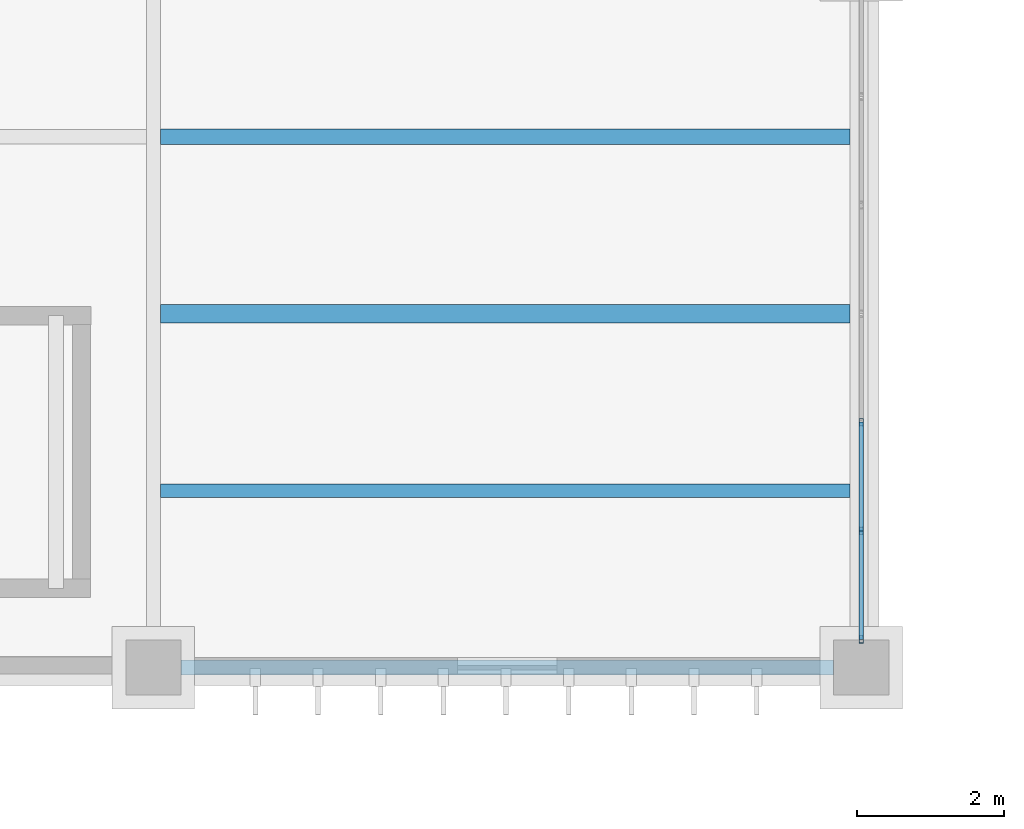
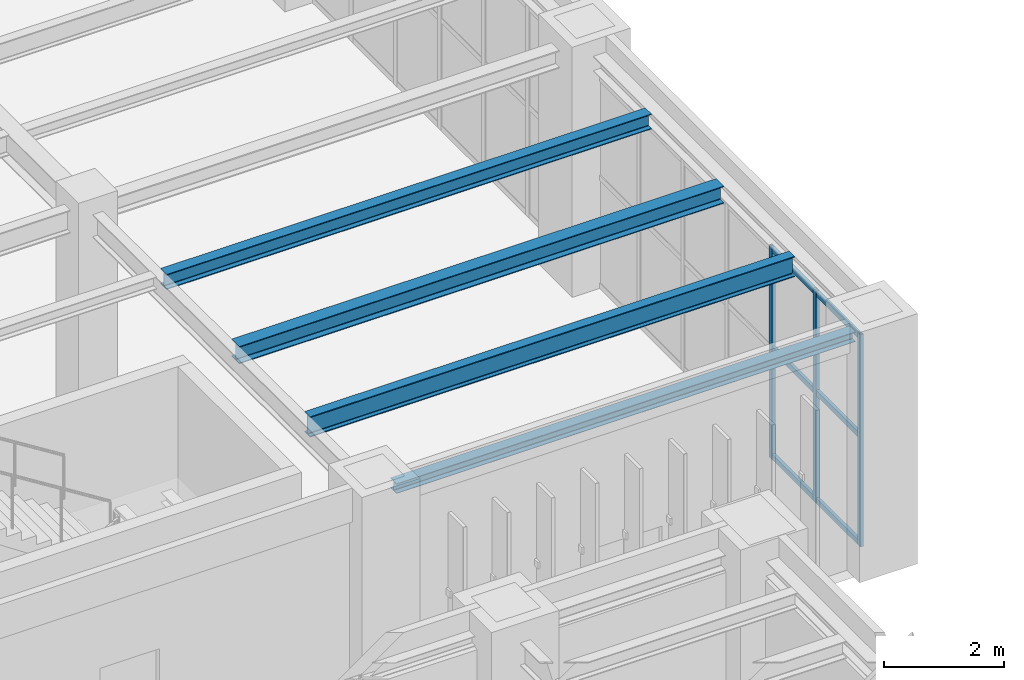
# One storey, part 70 of 174: 9 members, 4 beams, 1 element without a shape of its own.
"""IFC4 building model written with IfcOpenShell, lengths in metres."""

from ifc_helpers import new_model, si_unit, direction, frame, origin, origin_2d, place, context, subcontext, project, spatial, hollow_rectangle, i_section, extrude, material, material_profile, profile_set, type_object, element, aggregate, save


model = new_model("IFC4")

# Units and contexts
model_context = context("Model", 3, precision=1e-05, world=origin(), true_north=direction((0.0, 1.0)))
body_context = subcontext(model_context, "Body", "Model", "MODEL_VIEW")
ifc_project = project(units=[si_unit("LENGTHUNIT", "METRE"), si_unit("AREAUNIT", "SQUARE_METRE"), si_unit("VOLUMEUNIT", "CUBIC_METRE"), si_unit("PLANEANGLEUNIT", "RADIAN"), si_unit("MASSUNIT", "GRAM", prefix="KILO")], contexts=[model_context])

# Site, building, storey
site_placement = place(None, origin())
site = spatial("IfcSite", under=ifc_project, at=site_placement, CompositionType="ELEMENT")
building_placement = place(site_placement, origin())
building = spatial("IfcBuilding", under=site, at=building_placement, Name="Mavantir Sound Aquarium", CompositionType="ELEMENT")
storey_placement = place(building_placement, frame((0.0, 0.0, 5.39990234375)))
storey = spatial("IfcBuildingStorey", under=building, at=storey_placement, Name="L01", CompositionType="ELEMENT", Elevation=5.39990234375)

# Beams
ifc_material_1 = material(Name="Structural Steel ASTM A992 Gr50", Category="steel")
ifc_material_profile_1 = material_profile(ifc_material_1, i_section(OverallWidth=0.202880859375, OverallDepth=0.202880859375, WebThickness=0.007080078125, FlangeThickness=0.010986328125, FilletRadius=0.010009765625, at=origin_2d()), Name="W200X46")
ifc_profile_set_1 = profile_set([ifc_material_profile_1], Name="Structural Steel ASTM A992 Gr50")
beam_type_1 = type_object("IfcBeamType", Name="BM-W200X46-E", PredefinedType="LINTEL", material=ifc_profile_set_1)
beam_1_placement = place(storey_placement, frame((29.175048828125, 83.60009765625, 4.674560546875), z_axis=(1.0, 0.0, 0.0), x_axis=(0.0, 1.0, 0.0)))
element("IfcBeam", 1, at=beam_1_placement, inside=storey, type_object=beam_type_1, Name="L01 primary beam SL-20 1360", PredefinedType="LINTEL", context=body_context, shape_type="SweptSolid", body=[
    extrude(i_section(OverallWidth=0.202880859375, OverallDepth=0.202880859375, WebThickness=0.007080078125, FlangeThickness=0.010986328125, FilletRadius=0.010009765625, at=origin_2d()), origin(), (0.0, 0.0, 1.0), 8.849853515625),
])
ifc_material_profile_2 = material_profile(ifc_material_1, i_section(OverallWidth=0.205078125, OverallDepth=0.31005859375, WebThickness=0.009521484375, FlangeThickness=0.016357421875, FilletRadius=0.012939453125, at=origin_2d()), Name="W310X74")
ifc_profile_set_2 = profile_set([ifc_material_profile_2], Name="Structural Steel ASTM A992 Gr50")
beam_type_2 = type_object("IfcBeamType", Name="BM-W310X74-I", PredefinedType="JOIST", material=ifc_profile_set_2)
beam_2_placement = place(storey_placement, frame((28.89697265625, 90.800048828125, 4.62109375), z_axis=(1.0, 0.0, 0.0), x_axis=(0.0, 1.0, 0.0)))
element("IfcBeam", 2, at=beam_2_placement, inside=storey, type_object=beam_type_2, Name="L01 secondary floor joist SJ-31 803", PredefinedType="JOIST", context=body_context, shape_type="SweptSolid", body=[
    extrude(i_section(OverallWidth=0.205078125, OverallDepth=0.31005859375, WebThickness=0.009521484375, FlangeThickness=0.016357421875, FilletRadius=0.012939453125, at=origin_2d()), origin(), (0.0, 0.0, 1.0), 9.3505859375),
])
ifc_material_profile_3 = material_profile(ifc_material_1, i_section(OverallWidth=0.25390625, OverallDepth=0.35302734375, WebThickness=0.009521484375, FlangeThickness=0.016357421875, FilletRadius=0.014892578125, at=origin_2d()), Name="W360X91")
ifc_profile_set_3 = profile_set([ifc_material_profile_3], Name="Structural Steel ASTM A992 Gr50")
beam_type_3 = type_object("IfcBeamType", Name="BM-W360X91-I", PredefinedType="JOIST", material=ifc_profile_set_3)
beam_3_placement = place(storey_placement, frame((28.89697265625, 88.39990234375, 4.599609375), z_axis=(1.0, 0.0, 0.0), x_axis=(0.0, 1.0, 0.0)))
element("IfcBeam", 3, at=beam_3_placement, inside=storey, type_object=beam_type_3, Name="L01 secondary floor joist SJ-36 802", PredefinedType="JOIST", context=body_context, shape_type="SweptSolid", body=[
    extrude(i_section(OverallWidth=0.25390625, OverallDepth=0.35302734375, WebThickness=0.009521484375, FlangeThickness=0.016357421875, FilletRadius=0.014892578125, at=origin_2d()), origin(), (0.0, 0.0, 1.0), 9.3505859375),
])
ifc_material_profile_4 = material_profile(ifc_material_1, i_section(OverallWidth=0.180908203125, OverallDepth=0.4169921875, WebThickness=0.010986328125, FlangeThickness=0.018310546875, FilletRadius=0.014892578125, at=origin_2d()), Name="W410X85")
ifc_profile_set_4 = profile_set([ifc_material_profile_4], Name="Structural Steel ASTM A992 Gr50")
beam_type_4 = type_object("IfcBeamType", Name="BM-W410X85-I", PredefinedType="JOIST", material=ifc_profile_set_4)
beam_4_placement = place(storey_placement, frame((28.89697265625, 86.0, 4.567626953125), z_axis=(1.0, 0.0, 0.0), x_axis=(0.0, 1.0, 0.0)))
element("IfcBeam", 4, at=beam_4_placement, inside=storey, type_object=beam_type_4, Name="L01 secondary floor joist SJ-41 801", PredefinedType="JOIST", context=body_context, shape_type="SweptSolid", body=[
    extrude(i_section(OverallWidth=0.180908203125, OverallDepth=0.4169921875, WebThickness=0.010986328125, FlangeThickness=0.018310546875, FilletRadius=0.014892578125, at=origin_2d()), origin(), (0.0, 0.0, 1.0), 9.3505859375),
])

# Curtain wall, members
ifc_material_2 = material(Name="Anodised Marine Aluminium and Low-E Glass", Category="aluminium")
curtain_wall_type = type_object("IfcCurtainWallType", Name="CW-T17", PredefinedType="USERDEFINED", material=ifc_material_2)
curtain_wall_placement = place(storey_placement, origin())
curtain_wall = element("IfcCurtainWall", 5, at=curtain_wall_placement, inside=storey, type_object=curtain_wall_type, Name="L01 unitised curtain wall CW-17 113", ObjectType="UNITISED GLAZING", PredefinedType="USERDEFINED")
ifc_material_3 = material(Name="Anodised Marine Aluminium 6063-T6", Category="aluminium")
ifc_material_profile_5 = material_profile(ifc_material_3, hollow_rectangle(XDim=0.06005859375, YDim=0.10009765625, WallThickness=0.00390625, at=origin_2d()), Name="ALU-MULLION-100X60")
ifc_profile_set_5 = profile_set([ifc_material_profile_5], Name="Anodised Marine Aluminium 6063-T6")
member_type_1 = type_object("IfcMemberType", Name="CW-MUL-100", PredefinedType="MULLION", material=ifc_profile_set_5)
member_1_placement = place(storey_placement, frame((38.39990234375, 83.98291015625, 0.0), z_axis=(0.0, 0.0, 1.0), x_axis=(1.0, 0.0, 0.0)))
member_1 = element("IfcMember", 6, at=member_1_placement, type_object=member_type_1, Name="CW-L01-113 vertical mullion 1", PredefinedType="MULLION", context=body_context, shape_type="SweptSolid", body=[
    extrude(hollow_rectangle(XDim=0.06005859375, YDim=0.10009765625, WallThickness=0.00390625, at=origin_2d()), origin(), (0.0, 0.0, 1.0), 4.3291015625),
])
member_2_placement = place(storey_placement, frame((38.39990234375, 85.455322265625, 0.0), z_axis=(0.0, 0.0, 1.0), x_axis=(1.0, 0.0, 0.0)))
member_2 = element("IfcMember", 7, at=member_2_placement, type_object=member_type_1, Name="CW-L01-113 vertical mullion 2", PredefinedType="MULLION", context=body_context, shape_type="SweptSolid", body=[
    extrude(hollow_rectangle(XDim=0.06005859375, YDim=0.10009765625, WallThickness=0.00390625, at=origin_2d()), origin(), (0.0, 0.0, 1.0), 4.3291015625),
])
member_3_placement = place(storey_placement, frame((38.39990234375, 86.927734375, 0.0), z_axis=(0.0, 0.0, 1.0), x_axis=(1.0, 0.0, 0.0)))
member_3 = element("IfcMember", 8, at=member_3_placement, type_object=member_type_1, Name="CW-L01-113 vertical mullion 3", PredefinedType="MULLION", context=body_context, shape_type="SweptSolid", body=[
    extrude(hollow_rectangle(XDim=0.06005859375, YDim=0.10009765625, WallThickness=0.00390625, at=origin_2d()), origin(), (0.0, 0.0, 1.0), 4.3291015625),
])
ifc_material_profile_6 = material_profile(ifc_material_3, hollow_rectangle(XDim=0.06005859375, YDim=0.110107421875, WallThickness=0.00390625, at=origin_2d()), Name="ALU-TRANSOM-110X60")
ifc_profile_set_6 = profile_set([ifc_material_profile_6], Name="Anodised Marine Aluminium 6063-T6")
member_type_2 = type_object("IfcMemberType", Name="CW-TRN-110", PredefinedType="USERDEFINED", material=ifc_profile_set_6)
member_4_placement = place(storey_placement, frame((38.39990234375, 83.98291015625, 0.05517578125), z_axis=(0.0, 1.0, 0.0), x_axis=(-1.0, 0.0, 0.0)))
member_4 = element("IfcMember", 9, at=member_4_placement, type_object=member_type_2, Name="CW-L01-113 transom 1.1", ObjectType="TRANSOM", PredefinedType="USERDEFINED", context=body_context, shape_type="SweptSolid", body=[
    extrude(hollow_rectangle(XDim=0.06005859375, YDim=0.110107421875, WallThickness=0.00390625, at=origin_2d()), origin(), (0.0, 0.0, 1.0), 1.472412109375),
])
member_5_placement = place(storey_placement, frame((38.39990234375, 83.98291015625, 2.251220703125), z_axis=(0.0, 1.0, 0.0), x_axis=(-1.0, 0.0, 0.0)))
member_5 = element("IfcMember", 10, at=member_5_placement, type_object=member_type_2, Name="CW-L01-113 transom 1.2", ObjectType="TRANSOM", PredefinedType="USERDEFINED", context=body_context, shape_type="SweptSolid", body=[
    extrude(hollow_rectangle(XDim=0.06005859375, YDim=0.110107421875, WallThickness=0.00390625, at=origin_2d()), origin(), (0.0, 0.0, 1.0), 1.472412109375),
])
member_6_placement = place(storey_placement, frame((38.39990234375, 83.98291015625, 4.274169921875), z_axis=(0.0, 1.0, 0.0), x_axis=(-1.0, 0.0, 0.0)))
member_6 = element("IfcMember", 11, at=member_6_placement, type_object=member_type_2, Name="CW-L01-113 transom 1.3", ObjectType="TRANSOM", PredefinedType="USERDEFINED", context=body_context, shape_type="SweptSolid", body=[
    extrude(hollow_rectangle(XDim=0.06005859375, YDim=0.110107421875, WallThickness=0.00390625, at=origin_2d()), origin(), (0.0, 0.0, 1.0), 1.472412109375),
])
member_7_placement = place(storey_placement, frame((38.39990234375, 85.455322265625, 0.05517578125), z_axis=(0.0, 1.0, 0.0), x_axis=(-1.0, 0.0, 0.0)))
member_7 = element("IfcMember", 12, at=member_7_placement, type_object=member_type_2, Name="CW-L01-113 transom 2.1", ObjectType="TRANSOM", PredefinedType="USERDEFINED", context=body_context, shape_type="SweptSolid", body=[
    extrude(hollow_rectangle(XDim=0.06005859375, YDim=0.110107421875, WallThickness=0.00390625, at=origin_2d()), origin(), (0.0, 0.0, 1.0), 1.472412109375),
])
member_8_placement = place(storey_placement, frame((38.39990234375, 85.455322265625, 2.251220703125), z_axis=(0.0, 1.0, 0.0), x_axis=(-1.0, 0.0, 0.0)))
member_8 = element("IfcMember", 13, at=member_8_placement, type_object=member_type_2, Name="CW-L01-113 transom 2.2", ObjectType="TRANSOM", PredefinedType="USERDEFINED", context=body_context, shape_type="SweptSolid", body=[
    extrude(hollow_rectangle(XDim=0.06005859375, YDim=0.110107421875, WallThickness=0.00390625, at=origin_2d()), origin(), (0.0, 0.0, 1.0), 1.472412109375),
])
member_9_placement = place(storey_placement, frame((38.39990234375, 85.455322265625, 4.274169921875), z_axis=(0.0, 1.0, 0.0), x_axis=(-1.0, 0.0, 0.0)))
member_9 = element("IfcMember", 14, at=member_9_placement, type_object=member_type_2, Name="CW-L01-113 transom 2.3", ObjectType="TRANSOM", PredefinedType="USERDEFINED", context=body_context, shape_type="SweptSolid", body=[
    extrude(hollow_rectangle(XDim=0.06005859375, YDim=0.110107421875, WallThickness=0.00390625, at=origin_2d()), origin(), (0.0, 0.0, 1.0), 1.472412109375),
])
aggregate(curtain_wall, [member_1, member_2, member_3, member_4, member_5, member_6, member_7, member_8, member_9])

save(model, "model.ifc")
